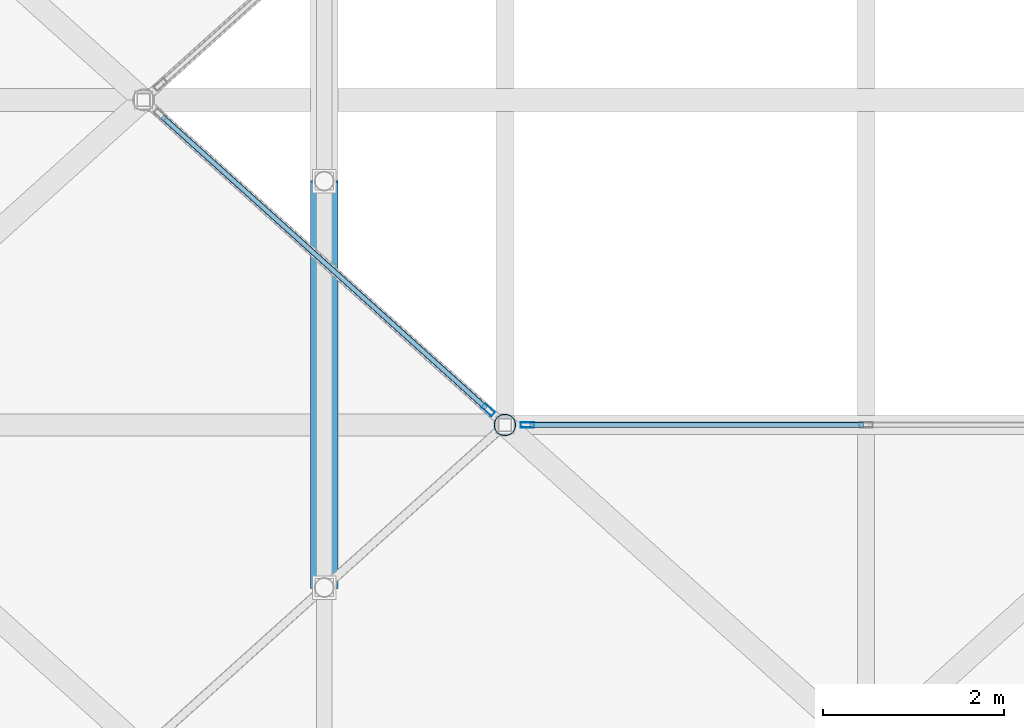
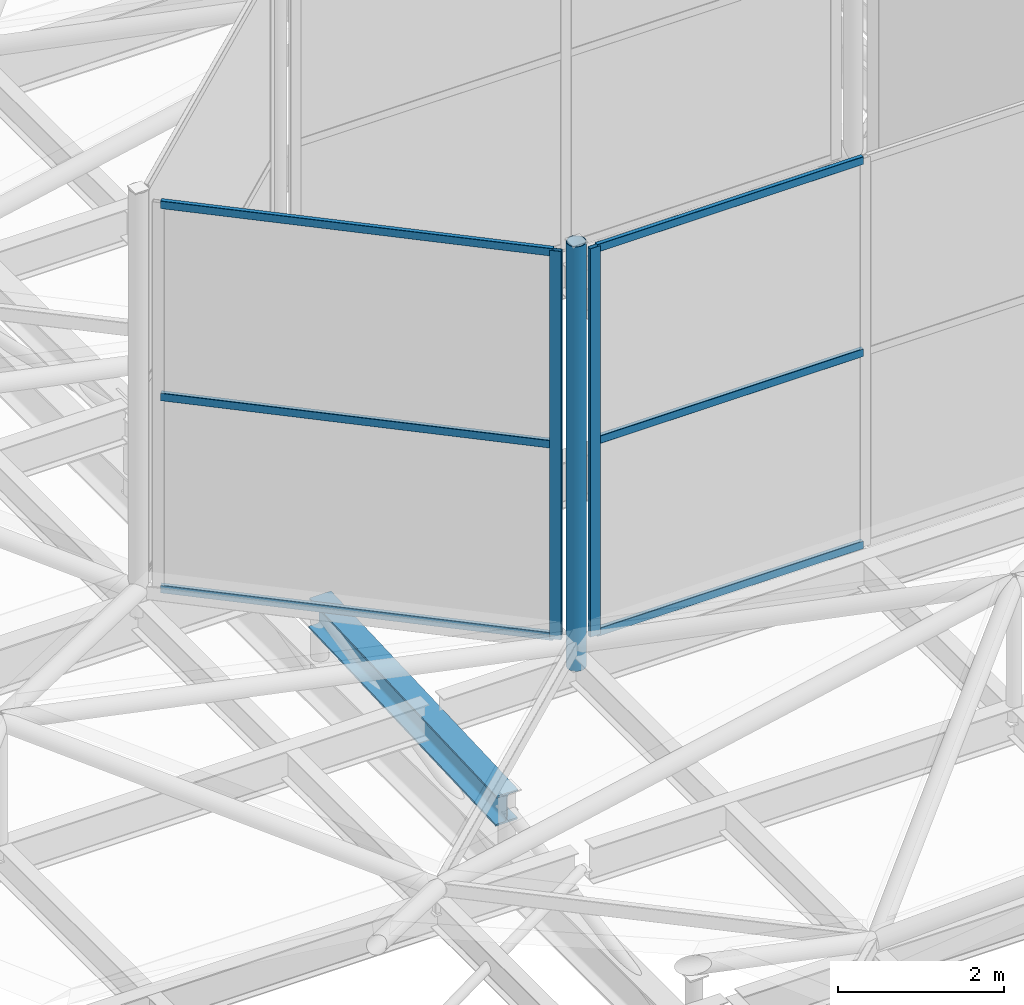
# One storey, part 38 of 239: 9 members, 1 beam, 2 elements without a shape of their own.
"""IFC4 building model written with IfcOpenShell, lengths in metres."""

from ifc_helpers import new_model, si_unit, direction, frame, origin, origin_2d, place, context, subcontext, project, spatial, hollow_rectangle, hollow_circle, i_section, extrude, material, layer, layer_set, material_profile, profile_set, type_object, element, aggregate, save


model = new_model("IFC4")

# Units and contexts
model_context = context("Model", 3, precision=1e-05, world=origin(), true_north=direction((0.0, 1.0)))
body_context = subcontext(model_context, "Body", "Model", "MODEL_VIEW")
ifc_project = project(units=[si_unit("LENGTHUNIT", "METRE"), si_unit("AREAUNIT", "SQUARE_METRE"), si_unit("VOLUMEUNIT", "CUBIC_METRE"), si_unit("PLANEANGLEUNIT", "RADIAN"), si_unit("MASSUNIT", "GRAM", prefix="KILO")], contexts=[model_context])

# Site, building, storey
site_placement = place(None, origin())
site = spatial("IfcSite", under=ifc_project, at=site_placement, CompositionType="ELEMENT")
building_placement = place(site_placement, origin())
building = spatial("IfcBuilding", under=site, at=building_placement, Name="Dunvalen Ferry Terminal", CompositionType="ELEMENT")
storey_placement = place(building_placement, frame((0.0, 0.0, 9.840087890625)))
storey = spatial("IfcBuildingStorey", under=building, at=storey_placement, Name="L02", CompositionType="ELEMENT", Elevation=9.840087890625)

# Curtain wall, member
ifc_material_1 = material(Name="Anodised marine aluminium and solar-control glazing", Category="aluminium")
ifc_layer_1 = layer(ifc_material_1, 0.179931640625, Name="Anodised marine aluminium and solar-control glazing")
ifc_layer_set_1 = layer_set([ifc_layer_1], Name="Anodised marine aluminium and solar-control glazing")
curtain_wall_type_1 = type_object("IfcCurtainWallType", Name="ENV-CW-SYS-05", PredefinedType="NOTDEFINED", material=ifc_layer_set_1)
curtain_wall_1_placement = place(storey_placement, origin())
curtain_wall_1 = element("IfcCurtainWall", 1, at=curtain_wall_1_placement, inside=storey, type_object=curtain_wall_type_1, Name="L02 Curtain Wall CW-HEX-36-SK-1", PredefinedType="NOTDEFINED")
ifc_material_2 = material(Name="Anodised marine aluminium EN AW-6063 T6", Category="aluminium")
ifc_material_profile_1 = material_profile(ifc_material_2, hollow_rectangle(XDim=0.06005859375, YDim=0.14990234375, WallThickness=0.00341796875, InnerFilletRadius=0.00341796875, OuterFilletRadius=0.007080078125, at=origin_2d()), Name="Anodised marine aluminium EN AW-6063 T6")
ifc_profile_set_1 = profile_set([ifc_material_profile_1], Name="Anodised marine aluminium EN AW-6063 T6")
member_type_1 = type_object("IfcMemberType", Name="ENV-CW-MUL-3", PredefinedType="MULLION", material=ifc_profile_set_1)
member_1_placement = place(storey_placement, frame((73.814208984375, 61.3671875, 1.139892578125), z_axis=(0.0, 0.0, 1.0), x_axis=(0.668953550894, 0.74330420875, 0.0)))
member_1 = element("IfcMember", 2, at=member_1_placement, type_object=member_type_1, Name="CW-05 mullion 2", PredefinedType="MULLION", context=body_context, shape_type="SweptSolid", body=[
    extrude(hollow_rectangle(XDim=0.06005859375, YDim=0.14990234375, WallThickness=0.00341796875, InnerFilletRadius=0.00341796875, OuterFilletRadius=0.007080078125, at=origin_2d()), origin(), (0.0, 0.0, 1.0), 5.699951171875),
])

ifc_layer_2 = layer(ifc_material_1, 0.179931640625, Name="Anodised marine aluminium and solar-control glazing")
ifc_layer_set_2 = layer_set([ifc_layer_2], Name="Anodised marine aluminium and solar-control glazing")
curtain_wall_type_2 = type_object("IfcCurtainWallType", Name="ENV-CW-SYS-06", PredefinedType="NOTDEFINED", material=ifc_layer_set_2)
curtain_wall_2_placement = place(storey_placement, origin())
curtain_wall_2 = element("IfcCurtainWall", 3, at=curtain_wall_2_placement, inside=storey, type_object=curtain_wall_type_2, Name="L02 Curtain Wall CW-HEX-36-SK-2", PredefinedType="NOTDEFINED")
member_2_placement = place(storey_placement, frame((74.25, 61.199951171875, 1.139892578125), z_axis=(0.0, 0.0, 1.0), x_axis=(0.0, 1.0, 0.0)))
member_2 = element("IfcMember", 4, at=member_2_placement, type_object=member_type_1, Name="CW-06 mullion 1", PredefinedType="MULLION", context=body_context, shape_type="SweptSolid", body=[
    extrude(hollow_rectangle(XDim=0.06005859375, YDim=0.14990234375, WallThickness=0.00341796875, InnerFilletRadius=0.00341796875, OuterFilletRadius=0.007080078125, at=origin_2d()), origin(), (0.0, 0.0, 1.0), 5.699951171875),
])

# Member
ifc_material_profile_2 = material_profile(ifc_material_2, hollow_rectangle(XDim=0.06005859375, YDim=0.114990234375, WallThickness=0.0029296875, InnerFilletRadius=0.0029296875, OuterFilletRadius=0.006103515625, at=origin_2d()), Name="Anodised marine aluminium EN AW-6063 T6")
ifc_profile_set_2 = profile_set([ifc_material_profile_2], Name="Anodised marine aluminium EN AW-6063 T6")
member_type_2 = type_object("IfcMemberType", Name="ENV-CW-TRN-3", PredefinedType="USERDEFINED", material=ifc_profile_set_2)
member_3_placement = place(storey_placement, frame((70.2080078125, 64.612548828125, 1.169921875), z_axis=(0.743344500928, -0.668908777742, 0.0), x_axis=(0.668908777742, 0.743344500928, 0.0)))
member_3 = element("IfcMember", 5, at=member_3_placement, type_object=member_type_2, Name="CW-05 transom 1.1", ObjectType="TRANSOM", PredefinedType="USERDEFINED", context=body_context, shape_type="SweptSolid", body=[
    extrude(hollow_rectangle(XDim=0.06005859375, YDim=0.114990234375, WallThickness=0.0029296875, InnerFilletRadius=0.0029296875, OuterFilletRadius=0.006103515625, at=origin_2d()), origin(), (0.0, 0.0, 1.0), 4.821533203125),
])

member_4_placement = place(storey_placement, frame((70.2080078125, 64.612548828125, 3.989990234375), z_axis=(0.743344500928, -0.668908777742, 0.0), x_axis=(0.668908777742, 0.743344500928, 0.0)))
member_4 = element("IfcMember", 6, at=member_4_placement, type_object=member_type_2, Name="CW-05 transom 1.2", ObjectType="TRANSOM", PredefinedType="USERDEFINED", context=body_context, shape_type="SweptSolid", body=[
    extrude(hollow_rectangle(XDim=0.06005859375, YDim=0.114990234375, WallThickness=0.0029296875, InnerFilletRadius=0.0029296875, OuterFilletRadius=0.006103515625, at=origin_2d()), origin(), (0.0, 0.0, 1.0), 4.821533203125),
])

member_5_placement = place(storey_placement, frame((70.2080078125, 64.612548828125, 6.809814453125), z_axis=(0.743344500928, -0.668908777742, 0.0), x_axis=(0.668908777742, 0.743344500928, 0.0)))
member_5 = element("IfcMember", 7, at=member_5_placement, type_object=member_type_2, Name="CW-05 transom 1.3", ObjectType="TRANSOM", PredefinedType="USERDEFINED", context=body_context, shape_type="SweptSolid", body=[
    extrude(hollow_rectangle(XDim=0.06005859375, YDim=0.114990234375, WallThickness=0.0029296875, InnerFilletRadius=0.0029296875, OuterFilletRadius=0.006103515625, at=origin_2d()), origin(), (0.0, 0.0, 1.0), 4.821533203125),
])

aggregate(curtain_wall_1, [member_1, member_3, member_4, member_5])

member_6_placement = place(storey_placement, frame((74.280029296875, 61.199951171875, 1.169921875), z_axis=(1.0, 0.0, 0.0), x_axis=(0.0, 1.0, 0.0)))
member_6 = element("IfcMember", 8, at=member_6_placement, type_object=member_type_2, Name="CW-06 transom 1.1", ObjectType="TRANSOM", PredefinedType="USERDEFINED", context=body_context, shape_type="SweptSolid", body=[
    extrude(hollow_rectangle(XDim=0.06005859375, YDim=0.114990234375, WallThickness=0.0029296875, InnerFilletRadius=0.0029296875, OuterFilletRadius=0.006103515625, at=origin_2d()), origin(), (0.0, 0.0, 1.0), 3.68994140625),
])

member_7_placement = place(storey_placement, frame((74.280029296875, 61.199951171875, 3.989990234375), z_axis=(1.0, 0.0, 0.0), x_axis=(0.0, 1.0, 0.0)))
member_7 = element("IfcMember", 9, at=member_7_placement, type_object=member_type_2, Name="CW-06 transom 1.2", ObjectType="TRANSOM", PredefinedType="USERDEFINED", context=body_context, shape_type="SweptSolid", body=[
    extrude(hollow_rectangle(XDim=0.06005859375, YDim=0.114990234375, WallThickness=0.0029296875, InnerFilletRadius=0.0029296875, OuterFilletRadius=0.006103515625, at=origin_2d()), origin(), (0.0, 0.0, 1.0), 3.68994140625),
])

member_8_placement = place(storey_placement, frame((74.280029296875, 61.199951171875, 6.809814453125), z_axis=(1.0, 0.0, 0.0), x_axis=(0.0, 1.0, 0.0)))
member_8 = element("IfcMember", 10, at=member_8_placement, type_object=member_type_2, Name="CW-06 transom 1.3", ObjectType="TRANSOM", PredefinedType="USERDEFINED", context=body_context, shape_type="SweptSolid", body=[
    extrude(hollow_rectangle(XDim=0.06005859375, YDim=0.114990234375, WallThickness=0.0029296875, InnerFilletRadius=0.0029296875, OuterFilletRadius=0.006103515625, at=origin_2d()), origin(), (0.0, 0.0, 1.0), 3.68994140625),
])

aggregate(curtain_wall_2, [member_2, member_6, member_7, member_8])

# Beam
ifc_material_3 = material(Name="Steel S355", Category="steel")
ifc_material_profile_3 = material_profile(ifc_material_3, i_section(OverallWidth=0.300048828125, OverallDepth=0.449951171875, WebThickness=0.013916015625, FlangeThickness=0.02587890625, FilletRadius=0.027099609375, at=origin_2d()), Name="Steel S355")
ifc_profile_set_3 = profile_set([ifc_material_profile_3], Name="Steel S355")
beam_type = type_object("IfcBeamType", Name="STR-BM-HEB450", PredefinedType="BEAM", material=ifc_profile_set_3)
beam_placement = place(storey_placement, frame((72.0, 59.39990234375, 0.474853515625), z_axis=(0.0, 0.999166564808, 0.040818816368), x_axis=(-1.0, 0.0, 0.0)))
element("IfcBeam", 11, at=beam_placement, inside=storey, type_object=beam_type, Name="Departure Hall Tied-Arch Rib 06.3", PredefinedType="BEAM", context=body_context, shape_type="SweptSolid", body=[
    extrude(i_section(OverallWidth=0.300048828125, OverallDepth=0.449951171875, WebThickness=0.013916015625, FlangeThickness=0.02587890625, FilletRadius=0.027099609375, at=origin_2d()), origin(), (0.0, 0.0, 1.0), 4.503662109375),
])

# Member
ifc_material_profile_4 = material_profile(ifc_material_3, hollow_circle(Radius=0.122314453125, WallThickness=0.010009765625, at=origin_2d()), Name="Steel S355")
ifc_profile_set_4 = profile_set([ifc_material_profile_4], Name="Steel S355")
member_type_3 = type_object("IfcMemberType", Name="STR-MB-CHS244", PredefinedType="STRUT", material=ifc_profile_set_4)
member_9_placement = place(storey_placement, frame((74.0, 61.199951171875, 0.77001953125), z_axis=(0.0, 0.0, 1.0), x_axis=(1.0, 0.0, 0.0)))
element("IfcMember", 12, at=member_9_placement, inside=storey, type_object=member_type_3, Name="HEX-36 Skylight Lantern Corner Strut 2", PredefinedType="STRUT", context=body_context, shape_type="SweptSolid", body=[
    extrude(hollow_circle(Radius=0.122314453125, WallThickness=0.010009765625, at=origin_2d()), origin(), (0.0, 0.0, 1.0), 6.22998046875),
])

save(model, "model.ifc")
